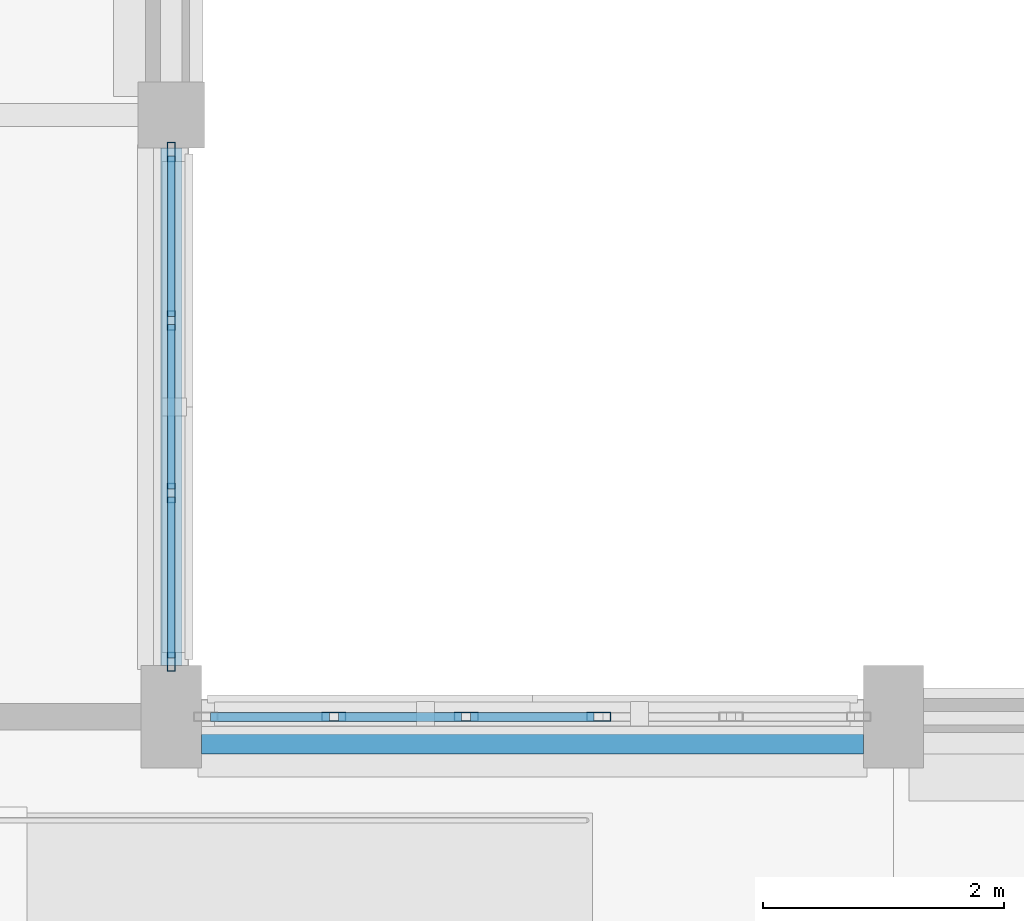
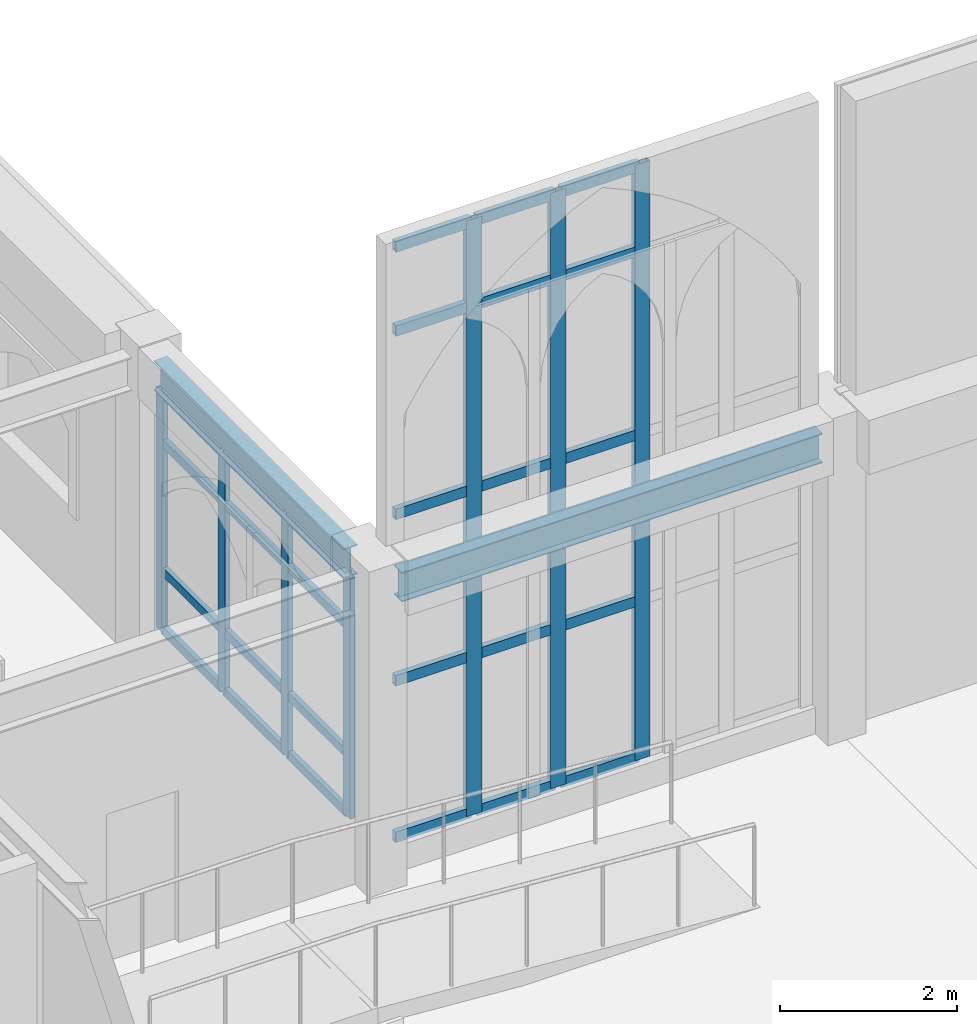
# One storey, part 30 of 108: 34 members, 2 beams, 2 elements without a shape of their own.
"""IFC4 building model written with IfcOpenShell, lengths in metres."""

from ifc_helpers import new_model, si_unit, direction, frame, origin, origin_2d, place, context, subcontext, project, spatial, hollow_rectangle, i_section, extrude, material, layer, layer_set, material_profile, profile_set, type_object, element, aggregate, save


model = new_model("IFC4")

# Units and contexts
model_context = context("Model", 3, precision=1e-05, world=origin(), true_north=direction((0.0, 1.0)))
body_context = subcontext(model_context, "Body", "Model", "MODEL_VIEW")
ifc_project = project(units=[si_unit("LENGTHUNIT", "METRE"), si_unit("AREAUNIT", "SQUARE_METRE"), si_unit("VOLUMEUNIT", "CUBIC_METRE"), si_unit("PLANEANGLEUNIT", "RADIAN"), si_unit("MASSUNIT", "GRAM", prefix="KILO")], contexts=[model_context])

# Site, building, storey
site_placement = place(None, origin())
site = spatial("IfcSite", under=ifc_project, at=site_placement, CompositionType="ELEMENT")
building_placement = place(site_placement, origin())
building = spatial("IfcBuilding", under=site, at=building_placement, Name="Cumevento Cable Car Station", CompositionType="ELEMENT")
storey_placement = place(building_placement, frame((0.0, 0.0, 13.5)))
storey = spatial("IfcBuildingStorey", under=building, at=storey_placement, Name="L04", CompositionType="ELEMENT", Elevation=13.5)

# Curtain wall, members
ifc_material_1 = material(Name="Anodised Bronze Aluminium AW-6063-T6", Category="aluminium")
ifc_layer_1 = layer(ifc_material_1, 0.25)
ifc_layer_set_1 = layer_set([ifc_layer_1], Name="Anodised Bronze Aluminium AW-6063-T6")
curtain_wall_type_1 = type_object("IfcCurtainWallType", Name="Lancet Curtain Wall CW-16 1650", PredefinedType="NOTDEFINED", material=ifc_layer_set_1)
curtain_wall_1_placement = place(storey_placement, origin())
curtain_wall_1 = element("IfcCurtainWall", 1, at=curtain_wall_1_placement, inside=storey, type_object=curtain_wall_type_1, Name="Lancet Curtain Wall CW-16 L04 #175", PredefinedType="NOTDEFINED")
ifc_material_2 = material(Name="Anodised Bronze Aluminium AW-6063-T6", Category="aluminium")
ifc_material_profile_1 = material_profile(ifc_material_2, hollow_rectangle(XDim=0.06494140625, YDim=0.159912109375, WallThickness=0.00390625, at=origin_2d()), Name="ALUM65x160x4")
ifc_profile_set_1 = profile_set([ifc_material_profile_1], Name="Anodised Bronze Aluminium AW-6063-T6")
member_type_1 = type_object("IfcMemberType", Name="Curtain Mullion CWM-01 ALUM65x160x4", PredefinedType="MULLION", material=ifc_profile_set_1)
member_1_placement = place(storey_placement, frame((70.0, 61.1923828125, 0.52001953125), z_axis=(0.0, 0.0, 1.0), x_axis=(1.0, 0.0, 0.0)))
member_1 = element("IfcMember", 2, at=member_1_placement, type_object=member_type_1, Name="CW-16 mullion 1", PredefinedType="MULLION", context=body_context, shape_type="SweptSolid", body=[
    extrude(hollow_rectangle(XDim=0.06494140625, YDim=0.159912109375, WallThickness=0.00390625, at=origin_2d()), origin(), (0.0, 0.0, 1.0), 3.322998046875),
])
member_2_placement = place(storey_placement, frame((70.0, 59.791748046875, 0.52001953125), z_axis=(0.0, 0.0, 1.0), x_axis=(1.0, 0.0, 0.0)))
member_2 = element("IfcMember", 3, at=member_2_placement, type_object=member_type_1, Name="CW-16 mullion 2", PredefinedType="MULLION", context=body_context, shape_type="SweptSolid", body=[
    extrude(hollow_rectangle(XDim=0.06494140625, YDim=0.159912109375, WallThickness=0.00390625, at=origin_2d()), origin(), (0.0, 0.0, 1.0), 3.322998046875),
])
member_3_placement = place(storey_placement, frame((70.0, 58.3583984375, 0.52001953125), z_axis=(0.0, 0.0, 1.0), x_axis=(1.0, 0.0, 0.0)))
member_3 = element("IfcMember", 4, at=member_3_placement, type_object=member_type_1, Name="CW-16 mullion 3", PredefinedType="MULLION", context=body_context, shape_type="SweptSolid", body=[
    extrude(hollow_rectangle(XDim=0.06494140625, YDim=0.159912109375, WallThickness=0.00390625, at=origin_2d()), origin(), (0.0, 0.0, 1.0), 3.322998046875),
])
member_4_placement = place(storey_placement, frame((70.0, 56.95751953125, 0.52001953125), z_axis=(0.0, 0.0, 1.0), x_axis=(1.0, 0.0, 0.0)))
member_4 = element("IfcMember", 5, at=member_4_placement, type_object=member_type_1, Name="CW-16 mullion 4", PredefinedType="MULLION", context=body_context, shape_type="SweptSolid", body=[
    extrude(hollow_rectangle(XDim=0.06494140625, YDim=0.159912109375, WallThickness=0.00390625, at=origin_2d()), origin(), (0.0, 0.0, 1.0), 3.322998046875),
])

ifc_material_3 = material(Name="Anodised Bronze Aluminium AW-6063-T6", Category="aluminium")
ifc_layer_2 = layer(ifc_material_3, 0.18408203125)
ifc_layer_set_2 = layer_set([ifc_layer_2], Name="Anodised Bronze Aluminium AW-6063-T6")
curtain_wall_type_2 = type_object("IfcCurtainWallType", Name="Lancet Curtain Wall CW-05 1210", PredefinedType="NOTDEFINED", material=ifc_layer_set_2)
curtain_wall_2_placement = place(storey_placement, origin())
curtain_wall_2 = element("IfcCurtainWall", 6, at=curtain_wall_2_placement, inside=storey, type_object=curtain_wall_type_2, Name="Lancet Curtain Wall CW-05 L04 #164", PredefinedType="NOTDEFINED")
ifc_material_4 = material(Name="Anodised Bronze Aluminium AW-6063-T6", Category="aluminium")
ifc_material_profile_2 = material_profile(ifc_material_4, hollow_rectangle(XDim=0.074951171875, YDim=0.199951171875, WallThickness=0.0048828125, at=origin_2d()), Name="ALUM75x200x5")
ifc_profile_set_2 = profile_set([ifc_material_profile_2], Name="Anodised Bronze Aluminium AW-6063-T6")
member_type_2 = type_object("IfcMemberType", Name="Curtain Mullion CWM-02 ALUM75x200x5", PredefinedType="MULLION", material=ifc_profile_set_2)
member_5_placement = place(storey_placement, frame((71.35009765625, 56.5, 0.360107421875), z_axis=(0.0, 0.0, 1.0), x_axis=(0.0, 1.0, 0.0)))
member_5 = element("IfcMember", 7, at=member_5_placement, type_object=member_type_2, Name="CW-05 mullion 2", PredefinedType="MULLION", context=body_context, shape_type="SweptSolid", body=[
    extrude(hollow_rectangle(XDim=0.074951171875, YDim=0.199951171875, WallThickness=0.0048828125, at=origin_2d()), origin(), (0.0, 0.0, 1.0), 8.23291015625),
])
member_6_placement = place(storey_placement, frame((72.449951171875, 56.5, 0.360107421875), z_axis=(0.0, 0.0, 1.0), x_axis=(0.0, 1.0, 0.0)))
member_6 = element("IfcMember", 8, at=member_6_placement, type_object=member_type_2, Name="CW-05 mullion 3", PredefinedType="MULLION", context=body_context, shape_type="SweptSolid", body=[
    extrude(hollow_rectangle(XDim=0.074951171875, YDim=0.199951171875, WallThickness=0.0048828125, at=origin_2d()), origin(), (0.0, 0.0, 1.0), 8.23291015625),
])
member_7_placement = place(storey_placement, frame((73.550048828125, 56.5, 0.360107421875), z_axis=(0.0, 0.0, 1.0), x_axis=(0.0, 1.0, 0.0)))
member_7 = element("IfcMember", 9, at=member_7_placement, type_object=member_type_2, Name="CW-05 mullion 4", PredefinedType="MULLION", context=body_context, shape_type="SweptSolid", body=[
    extrude(hollow_rectangle(XDim=0.074951171875, YDim=0.199951171875, WallThickness=0.0048828125, at=origin_2d()), origin(), (0.0, 0.0, 1.0), 8.23291015625),
])

# Member
ifc_material_5 = material(Name="Anodised Bronze Aluminium AW-6063-T6", Category="aluminium")
ifc_material_profile_3 = material_profile(ifc_material_5, hollow_rectangle(XDim=0.06494140625, YDim=0.1201171875, WallThickness=0.00390625, at=origin_2d()), Name="ALUT65x120x4")
ifc_profile_set_3 = profile_set([ifc_material_profile_3], Name="Anodised Bronze Aluminium AW-6063-T6")
member_type_3 = type_object("IfcMemberType", Name="Curtain Transom CWT-01 ALUT65x120x4", PredefinedType="USERDEFINED", material=ifc_profile_set_3)
member_8_placement = place(storey_placement, frame((70.0, 61.159912109375, 0.552490234375), z_axis=(0.0, -1.0, 0.0), x_axis=(1.0, 0.0, 0.0)))
member_8 = element("IfcMember", 10, at=member_8_placement, type_object=member_type_3, Name="CW-16 transom 1.1", ObjectType="TRANSOM", PredefinedType="USERDEFINED", context=body_context, shape_type="SweptSolid", body=[
    extrude(hollow_rectangle(XDim=0.06494140625, YDim=0.1201171875, WallThickness=0.00390625, at=origin_2d()), origin(), (0.0, 0.0, 1.0), 1.335693359375),
])

member_9_placement = place(storey_placement, frame((70.0, 61.159912109375, 1.3701171875), z_axis=(0.0, -1.0, 0.0), x_axis=(1.0, 0.0, 0.0)))
member_9 = element("IfcMember", 11, at=member_9_placement, type_object=member_type_3, Name="CW-16 transom 1.2", ObjectType="TRANSOM", PredefinedType="USERDEFINED", context=body_context, shape_type="SweptSolid", body=[
    extrude(hollow_rectangle(XDim=0.06494140625, YDim=0.1201171875, WallThickness=0.00390625, at=origin_2d()), origin(), (0.0, 0.0, 1.0), 1.335693359375),
])

member_10_placement = place(storey_placement, frame((70.0, 61.159912109375, 3.14306640625), z_axis=(0.0, -1.0, 0.0), x_axis=(1.0, 0.0, 0.0)))
member_10 = element("IfcMember", 12, at=member_10_placement, type_object=member_type_3, Name="CW-16 transom 1.3", ObjectType="TRANSOM", PredefinedType="USERDEFINED", context=body_context, shape_type="SweptSolid", body=[
    extrude(hollow_rectangle(XDim=0.06494140625, YDim=0.1201171875, WallThickness=0.00390625, at=origin_2d()), origin(), (0.0, 0.0, 1.0), 1.335693359375),
])

member_11_placement = place(storey_placement, frame((70.0, 61.159912109375, 3.810546875), z_axis=(0.0, -1.0, 0.0), x_axis=(1.0, 0.0, 0.0)))
member_11 = element("IfcMember", 13, at=member_11_placement, type_object=member_type_3, Name="CW-16 transom 1.4", ObjectType="TRANSOM", PredefinedType="USERDEFINED", context=body_context, shape_type="SweptSolid", body=[
    extrude(hollow_rectangle(XDim=0.06494140625, YDim=0.1201171875, WallThickness=0.00390625, at=origin_2d()), origin(), (0.0, 0.0, 1.0), 1.335693359375),
])

member_12_placement = place(storey_placement, frame((70.0, 59.75927734375, 0.552490234375), z_axis=(0.0, -1.0, 0.0), x_axis=(1.0, 0.0, 0.0)))
member_12 = element("IfcMember", 14, at=member_12_placement, type_object=member_type_3, Name="CW-16 transom 2.1", ObjectType="TRANSOM", PredefinedType="USERDEFINED", context=body_context, shape_type="SweptSolid", body=[
    extrude(hollow_rectangle(XDim=0.06494140625, YDim=0.1201171875, WallThickness=0.00390625, at=origin_2d()), origin(), (0.0, 0.0, 1.0), 1.368408203125),
])

member_13_placement = place(storey_placement, frame((70.0, 59.75927734375, 1.3701171875), z_axis=(0.0, -1.0, 0.0), x_axis=(1.0, 0.0, 0.0)))
member_13 = element("IfcMember", 15, at=member_13_placement, type_object=member_type_3, Name="CW-16 transom 2.2", ObjectType="TRANSOM", PredefinedType="USERDEFINED", context=body_context, shape_type="SweptSolid", body=[
    extrude(hollow_rectangle(XDim=0.06494140625, YDim=0.1201171875, WallThickness=0.00390625, at=origin_2d()), origin(), (0.0, 0.0, 1.0), 1.368408203125),
])

member_14_placement = place(storey_placement, frame((70.0, 59.75927734375, 3.14306640625), z_axis=(0.0, -1.0, 0.0), x_axis=(1.0, 0.0, 0.0)))
member_14 = element("IfcMember", 16, at=member_14_placement, type_object=member_type_3, Name="CW-16 transom 2.3", ObjectType="TRANSOM", PredefinedType="USERDEFINED", context=body_context, shape_type="SweptSolid", body=[
    extrude(hollow_rectangle(XDim=0.06494140625, YDim=0.1201171875, WallThickness=0.00390625, at=origin_2d()), origin(), (0.0, 0.0, 1.0), 1.368408203125),
])

member_15_placement = place(storey_placement, frame((70.0, 59.75927734375, 3.810546875), z_axis=(0.0, -1.0, 0.0), x_axis=(1.0, 0.0, 0.0)))
member_15 = element("IfcMember", 17, at=member_15_placement, type_object=member_type_3, Name="CW-16 transom 2.4", ObjectType="TRANSOM", PredefinedType="USERDEFINED", context=body_context, shape_type="SweptSolid", body=[
    extrude(hollow_rectangle(XDim=0.06494140625, YDim=0.1201171875, WallThickness=0.00390625, at=origin_2d()), origin(), (0.0, 0.0, 1.0), 1.368408203125),
])

member_16_placement = place(storey_placement, frame((70.0, 58.325927734375, 0.552490234375), z_axis=(0.0, -1.0, 0.0), x_axis=(1.0, 0.0, 0.0)))
member_16 = element("IfcMember", 18, at=member_16_placement, type_object=member_type_3, Name="CW-16 transom 3.1", ObjectType="TRANSOM", PredefinedType="USERDEFINED", context=body_context, shape_type="SweptSolid", body=[
    extrude(hollow_rectangle(XDim=0.06494140625, YDim=0.1201171875, WallThickness=0.00390625, at=origin_2d()), origin(), (0.0, 0.0, 1.0), 1.3359375),
])

member_17_placement = place(storey_placement, frame((70.0, 58.325927734375, 1.3701171875), z_axis=(0.0, -1.0, 0.0), x_axis=(1.0, 0.0, 0.0)))
member_17 = element("IfcMember", 19, at=member_17_placement, type_object=member_type_3, Name="CW-16 transom 3.2", ObjectType="TRANSOM", PredefinedType="USERDEFINED", context=body_context, shape_type="SweptSolid", body=[
    extrude(hollow_rectangle(XDim=0.06494140625, YDim=0.1201171875, WallThickness=0.00390625, at=origin_2d()), origin(), (0.0, 0.0, 1.0), 1.3359375),
])

member_18_placement = place(storey_placement, frame((70.0, 58.325927734375, 3.14306640625), z_axis=(0.0, -1.0, 0.0), x_axis=(1.0, 0.0, 0.0)))
member_18 = element("IfcMember", 20, at=member_18_placement, type_object=member_type_3, Name="CW-16 transom 3.3", ObjectType="TRANSOM", PredefinedType="USERDEFINED", context=body_context, shape_type="SweptSolid", body=[
    extrude(hollow_rectangle(XDim=0.06494140625, YDim=0.1201171875, WallThickness=0.00390625, at=origin_2d()), origin(), (0.0, 0.0, 1.0), 1.3359375),
])

member_19_placement = place(storey_placement, frame((70.0, 58.325927734375, 3.810546875), z_axis=(0.0, -1.0, 0.0), x_axis=(1.0, 0.0, 0.0)))
member_19 = element("IfcMember", 21, at=member_19_placement, type_object=member_type_3, Name="CW-16 transom 3.4", ObjectType="TRANSOM", PredefinedType="USERDEFINED", context=body_context, shape_type="SweptSolid", body=[
    extrude(hollow_rectangle(XDim=0.06494140625, YDim=0.1201171875, WallThickness=0.00390625, at=origin_2d()), origin(), (0.0, 0.0, 1.0), 1.3359375),
])

aggregate(curtain_wall_1, [member_1, member_2, member_3, member_4, member_8, member_9, member_10, member_11, member_12, member_13, member_14, member_15, member_16, member_17, member_18, member_19])

ifc_material_6 = material(Name="Anodised Bronze Aluminium AW-6063-T6", Category="aluminium")
ifc_material_profile_4 = material_profile(ifc_material_6, hollow_rectangle(XDim=0.074951171875, YDim=0.14501953125, WallThickness=0.00439453125, at=origin_2d()), Name="ALUT75x145x4.5")
ifc_profile_set_4 = profile_set([ifc_material_profile_4], Name="Anodised Bronze Aluminium AW-6063-T6")
member_type_4 = type_object("IfcMemberType", Name="Curtain Transom CWT-02 ALUT75x145x4.5", PredefinedType="USERDEFINED", material=ifc_profile_set_4)
member_20_placement = place(storey_placement, frame((70.324951171875, 56.5, 0.3974609375), z_axis=(1.0, 0.0, 0.0), x_axis=(0.0, 1.0, 0.0)))
member_20 = element("IfcMember", 22, at=member_20_placement, type_object=member_type_4, Name="CW-05 transom 1.1", ObjectType="TRANSOM", PredefinedType="USERDEFINED", context=body_context, shape_type="SweptSolid", body=[
    extrude(hollow_rectangle(XDim=0.074951171875, YDim=0.14501953125, WallThickness=0.00439453125, at=origin_2d()), origin(), (0.0, 0.0, 1.0), 0.987548828125),
])

member_21_placement = place(storey_placement, frame((70.324951171875, 56.5, 2.56005859375), z_axis=(1.0, 0.0, 0.0), x_axis=(0.0, 1.0, 0.0)))
member_21 = element("IfcMember", 23, at=member_21_placement, type_object=member_type_4, Name="CW-05 transom 1.2", ObjectType="TRANSOM", PredefinedType="USERDEFINED", context=body_context, shape_type="SweptSolid", body=[
    extrude(hollow_rectangle(XDim=0.074951171875, YDim=0.14501953125, WallThickness=0.00439453125, at=origin_2d()), origin(), (0.0, 0.0, 1.0), 0.987548828125),
])

member_22_placement = place(storey_placement, frame((70.324951171875, 56.5, 4.860107421875), z_axis=(1.0, 0.0, 0.0), x_axis=(0.0, 1.0, 0.0)))
member_22 = element("IfcMember", 24, at=member_22_placement, type_object=member_type_4, Name="CW-05 transom 1.3", ObjectType="TRANSOM", PredefinedType="USERDEFINED", context=body_context, shape_type="SweptSolid", body=[
    extrude(hollow_rectangle(XDim=0.074951171875, YDim=0.14501953125, WallThickness=0.00439453125, at=origin_2d()), origin(), (0.0, 0.0, 1.0), 0.987548828125),
])

member_23_placement = place(storey_placement, frame((70.324951171875, 56.5, 7.39306640625), z_axis=(1.0, 0.0, 0.0), x_axis=(0.0, 1.0, 0.0)))
member_23 = element("IfcMember", 25, at=member_23_placement, type_object=member_type_4, Name="CW-05 transom 1.4", ObjectType="TRANSOM", PredefinedType="USERDEFINED", context=body_context, shape_type="SweptSolid", body=[
    extrude(hollow_rectangle(XDim=0.074951171875, YDim=0.14501953125, WallThickness=0.00439453125, at=origin_2d()), origin(), (0.0, 0.0, 1.0), 0.987548828125),
])

member_24_placement = place(storey_placement, frame((70.324951171875, 56.5, 8.555419921875), z_axis=(1.0, 0.0, 0.0), x_axis=(0.0, 1.0, 0.0)))
member_24 = element("IfcMember", 26, at=member_24_placement, type_object=member_type_4, Name="CW-05 transom 1.5", ObjectType="TRANSOM", PredefinedType="USERDEFINED", context=body_context, shape_type="SweptSolid", body=[
    extrude(hollow_rectangle(XDim=0.074951171875, YDim=0.14501953125, WallThickness=0.00439453125, at=origin_2d()), origin(), (0.0, 0.0, 1.0), 0.987548828125),
])

member_25_placement = place(storey_placement, frame((71.387451171875, 56.5, 0.3974609375), z_axis=(1.0, 0.0, 0.0), x_axis=(0.0, 1.0, 0.0)))
member_25 = element("IfcMember", 27, at=member_25_placement, type_object=member_type_4, Name="CW-05 transom 2.1", ObjectType="TRANSOM", PredefinedType="USERDEFINED", context=body_context, shape_type="SweptSolid", body=[
    extrude(hollow_rectangle(XDim=0.074951171875, YDim=0.14501953125, WallThickness=0.00439453125, at=origin_2d()), origin(), (0.0, 0.0, 1.0), 1.025146484375),
])

member_26_placement = place(storey_placement, frame((71.387451171875, 56.5, 2.56005859375), z_axis=(1.0, 0.0, 0.0), x_axis=(0.0, 1.0, 0.0)))
member_26 = element("IfcMember", 28, at=member_26_placement, type_object=member_type_4, Name="CW-05 transom 2.2", ObjectType="TRANSOM", PredefinedType="USERDEFINED", context=body_context, shape_type="SweptSolid", body=[
    extrude(hollow_rectangle(XDim=0.074951171875, YDim=0.14501953125, WallThickness=0.00439453125, at=origin_2d()), origin(), (0.0, 0.0, 1.0), 1.025146484375),
])

member_27_placement = place(storey_placement, frame((71.387451171875, 56.5, 4.860107421875), z_axis=(1.0, 0.0, 0.0), x_axis=(0.0, 1.0, 0.0)))
member_27 = element("IfcMember", 29, at=member_27_placement, type_object=member_type_4, Name="CW-05 transom 2.3", ObjectType="TRANSOM", PredefinedType="USERDEFINED", context=body_context, shape_type="SweptSolid", body=[
    extrude(hollow_rectangle(XDim=0.074951171875, YDim=0.14501953125, WallThickness=0.00439453125, at=origin_2d()), origin(), (0.0, 0.0, 1.0), 1.025146484375),
])

member_28_placement = place(storey_placement, frame((71.387451171875, 56.5, 7.39306640625), z_axis=(1.0, 0.0, 0.0), x_axis=(0.0, 1.0, 0.0)))
member_28 = element("IfcMember", 30, at=member_28_placement, type_object=member_type_4, Name="CW-05 transom 2.4", ObjectType="TRANSOM", PredefinedType="USERDEFINED", context=body_context, shape_type="SweptSolid", body=[
    extrude(hollow_rectangle(XDim=0.074951171875, YDim=0.14501953125, WallThickness=0.00439453125, at=origin_2d()), origin(), (0.0, 0.0, 1.0), 1.025146484375),
])

member_29_placement = place(storey_placement, frame((71.387451171875, 56.5, 8.555419921875), z_axis=(1.0, 0.0, 0.0), x_axis=(0.0, 1.0, 0.0)))
member_29 = element("IfcMember", 31, at=member_29_placement, type_object=member_type_4, Name="CW-05 transom 2.5", ObjectType="TRANSOM", PredefinedType="USERDEFINED", context=body_context, shape_type="SweptSolid", body=[
    extrude(hollow_rectangle(XDim=0.074951171875, YDim=0.14501953125, WallThickness=0.00439453125, at=origin_2d()), origin(), (0.0, 0.0, 1.0), 1.025146484375),
])

member_30_placement = place(storey_placement, frame((72.487548828125, 56.5, 0.3974609375), z_axis=(1.0, 0.0, 0.0), x_axis=(0.0, 1.0, 0.0)))
member_30 = element("IfcMember", 32, at=member_30_placement, type_object=member_type_4, Name="CW-05 transom 3.1", ObjectType="TRANSOM", PredefinedType="USERDEFINED", context=body_context, shape_type="SweptSolid", body=[
    extrude(hollow_rectangle(XDim=0.074951171875, YDim=0.14501953125, WallThickness=0.00439453125, at=origin_2d()), origin(), (0.0, 0.0, 1.0), 1.02490234375),
])

member_31_placement = place(storey_placement, frame((72.487548828125, 56.5, 2.56005859375), z_axis=(1.0, 0.0, 0.0), x_axis=(0.0, 1.0, 0.0)))
member_31 = element("IfcMember", 33, at=member_31_placement, type_object=member_type_4, Name="CW-05 transom 3.2", ObjectType="TRANSOM", PredefinedType="USERDEFINED", context=body_context, shape_type="SweptSolid", body=[
    extrude(hollow_rectangle(XDim=0.074951171875, YDim=0.14501953125, WallThickness=0.00439453125, at=origin_2d()), origin(), (0.0, 0.0, 1.0), 1.02490234375),
])

member_32_placement = place(storey_placement, frame((72.487548828125, 56.5, 4.860107421875), z_axis=(1.0, 0.0, 0.0), x_axis=(0.0, 1.0, 0.0)))
member_32 = element("IfcMember", 34, at=member_32_placement, type_object=member_type_4, Name="CW-05 transom 3.3", ObjectType="TRANSOM", PredefinedType="USERDEFINED", context=body_context, shape_type="SweptSolid", body=[
    extrude(hollow_rectangle(XDim=0.074951171875, YDim=0.14501953125, WallThickness=0.00439453125, at=origin_2d()), origin(), (0.0, 0.0, 1.0), 1.02490234375),
])

member_33_placement = place(storey_placement, frame((72.487548828125, 56.5, 7.39306640625), z_axis=(1.0, 0.0, 0.0), x_axis=(0.0, 1.0, 0.0)))
member_33 = element("IfcMember", 35, at=member_33_placement, type_object=member_type_4, Name="CW-05 transom 3.4", ObjectType="TRANSOM", PredefinedType="USERDEFINED", context=body_context, shape_type="SweptSolid", body=[
    extrude(hollow_rectangle(XDim=0.074951171875, YDim=0.14501953125, WallThickness=0.00439453125, at=origin_2d()), origin(), (0.0, 0.0, 1.0), 1.02490234375),
])

member_34_placement = place(storey_placement, frame((72.487548828125, 56.5, 8.555419921875), z_axis=(1.0, 0.0, 0.0), x_axis=(0.0, 1.0, 0.0)))
member_34 = element("IfcMember", 36, at=member_34_placement, type_object=member_type_4, Name="CW-05 transom 3.5", ObjectType="TRANSOM", PredefinedType="USERDEFINED", context=body_context, shape_type="SweptSolid", body=[
    extrude(hollow_rectangle(XDim=0.074951171875, YDim=0.14501953125, WallThickness=0.00439453125, at=origin_2d()), origin(), (0.0, 0.0, 1.0), 1.02490234375),
])

aggregate(curtain_wall_2, [member_5, member_6, member_7, member_20, member_21, member_22, member_23, member_24, member_25, member_26, member_27, member_28, member_29, member_30, member_31, member_32, member_33, member_34])

# Beams
ifc_material_7 = material(Name="Steel ASTM A572 Grade 50", Category="steel")
ifc_material_profile_5 = material_profile(ifc_material_7, i_section(OverallWidth=0.177978515625, OverallDepth=0.406982421875, WebThickness=0.0078125, FlangeThickness=0.0126953125, at=origin_2d()), Name="W410x60.0")
ifc_profile_set_5 = profile_set([ifc_material_profile_5], Name="Steel ASTM A572 Grade 50")
beam_type = type_object("IfcBeamType", Name="Structural Spandrel SP-01 W410x60.0", PredefinedType="SPANDREL", material=ifc_profile_set_5)
beam_1_placement = place(storey_placement, frame((70.25, 56.280029296875, 4.04638671875), z_axis=(1.0, 0.0, 0.0), x_axis=(0.0, 1.0, 0.0)))
element("IfcBeam", 37, at=beam_1_placement, inside=storey, type_object=beam_type, Name="Beam SP-01 L04 #1425", PredefinedType="SPANDREL", context=body_context, shape_type="SweptSolid", body=[
    extrude(i_section(OverallWidth=0.177978515625, OverallDepth=0.406982421875, WebThickness=0.0078125, FlangeThickness=0.0126953125, at=origin_2d()), origin(), (0.0, 0.0, 1.0), 5.5),
])
beam_2_placement = place(storey_placement, frame((70.0, 56.925048828125, 4.04638671875), z_axis=(0.0, 1.0, 0.0), x_axis=(-1.0, 0.0, 0.0)))
element("IfcBeam", 38, at=beam_2_placement, inside=storey, type_object=beam_type, Name="Beam SP-01 L04 #1449", PredefinedType="SPANDREL", context=body_context, shape_type="SweptSolid", body=[
    extrude(i_section(OverallWidth=0.177978515625, OverallDepth=0.406982421875, WebThickness=0.0078125, FlangeThickness=0.0126953125, at=origin_2d()), origin(), (0.0, 0.0, 1.0), 4.300048828125),
])

save(model, "model.ifc")
